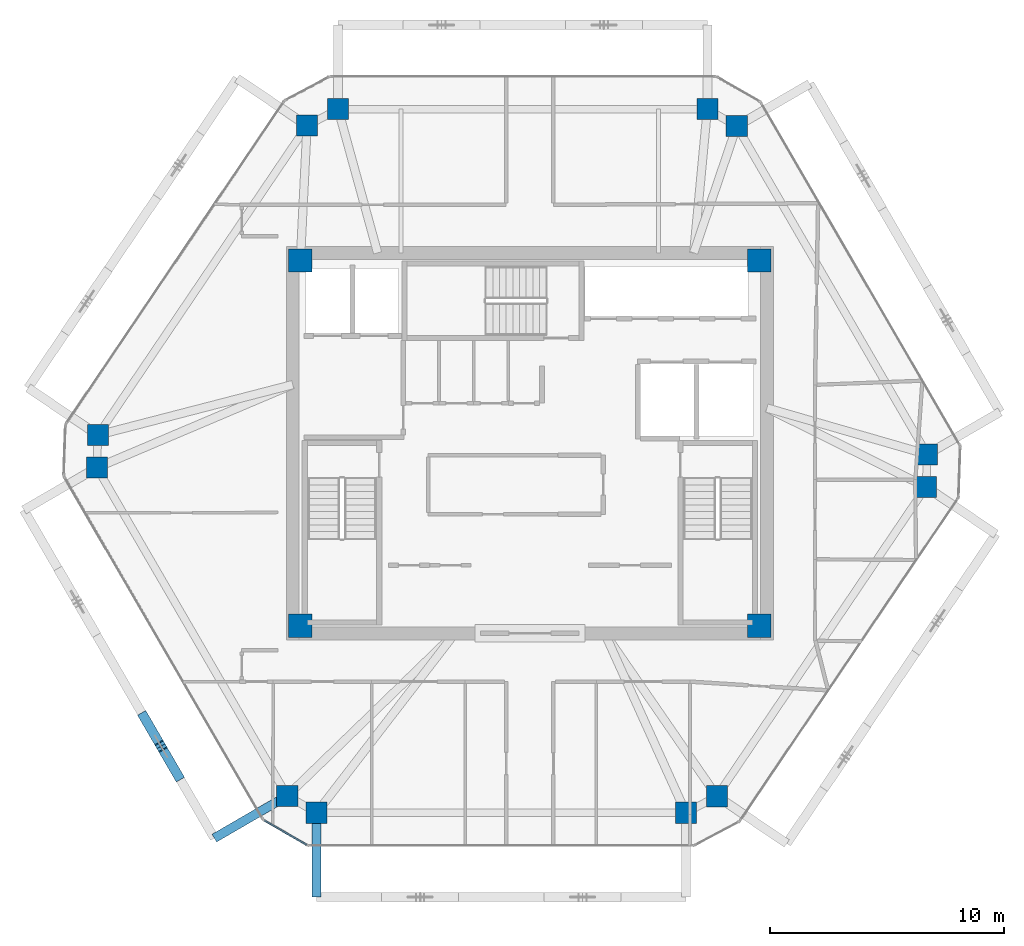
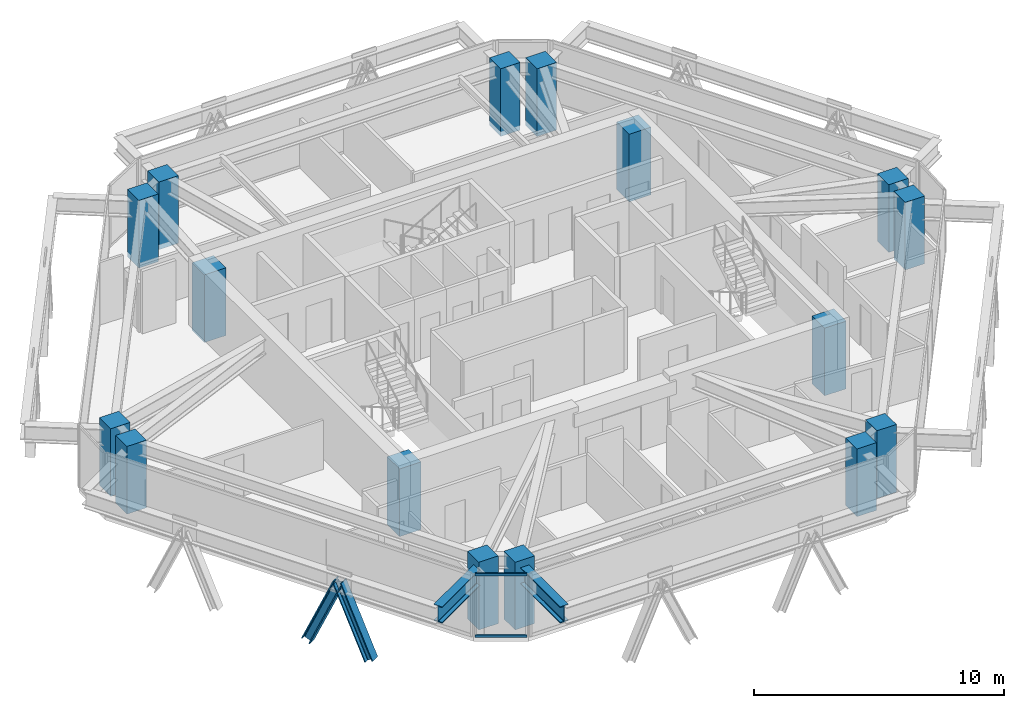
# One storey, part 1 of 13: 16 columns, 4 members, 2 beams, 1 element without a shape of its own.
"""IFC4 building model written with IfcOpenShell, lengths in metres."""

from ifc_helpers import new_model, si_unit, direction, frame, origin, origin_2d, place, context, subcontext, project, spatial, rectangle, i_section, extrude, source, transform, mapped, material, layer, layer_set, material_profile, profile_set, type_object, type_shapes, element, aggregate, save


model = new_model("IFC4")

# Units and contexts
model_context = context("Model", 3, precision=1e-05, world=origin(), true_north=direction((0.0, 1.0)))
body_context = subcontext(model_context, "Body", "Model", "MODEL_VIEW")
ifc_project = project(units=[si_unit("LENGTHUNIT", "METRE"), si_unit("AREAUNIT", "SQUARE_METRE"), si_unit("VOLUMEUNIT", "CUBIC_METRE"), si_unit("PLANEANGLEUNIT", "RADIAN"), si_unit("MASSUNIT", "GRAM", prefix="KILO")], contexts=[model_context])

# Site, building, storey
site_placement = place(None, origin())
site = spatial("IfcSite", under=ifc_project, at=site_placement, CompositionType="ELEMENT")
building_placement = place(site_placement, origin())
building = spatial("IfcBuilding", under=site, at=building_placement, Name="Durnholm Broadcast Tower", CompositionType="ELEMENT")
storey_placement = place(building_placement, frame((0.0, 0.0, 248.0)))
storey = spatial("IfcBuildingStorey", under=building, at=storey_placement, Name="L69", CompositionType="ELEMENT", Elevation=248.0)

# Columns
ifc_material_1 = material(Name="Concrete C70/85", Category="concrete")
ifc_material_profile_1 = material_profile(ifc_material_1, rectangle(XDim=1.0, YDim=1.0, at=origin_2d()), Name="RC1000X1000")
ifc_profile_set_1 = profile_set([ifc_material_profile_1], Name="Concrete C70/85")
column_type_1 = type_object("IfcColumnType", Name="COL-CC-1000", PredefinedType="COLUMN", material=ifc_profile_set_1)
shared_shape_1 = source(origin(), body_context, "Body", "SweptSolid", [
    extrude(rectangle(XDim=1.0, YDim=1.0, at=origin_2d()), origin(), (0.0, 0.0, 1.0), 3.300048828125),
])
type_shapes(column_type_1, [shared_shape_1])
for number, where, z_axis, x_axis, name in (
    (1, (-9.800048828125, -7.800048828125, -0.239990234375), (0.0, 0.0, 1.0), (1.0, 0.0, 0.0), "L69 core corner column 1"),
    (2, (9.800048828125, -7.800048828125, -0.239990234375), (0.0, 0.0, 1.0), (1.0, 0.0, 0.0), "L69 core corner column 2"),
    (3, (9.800048828125, 7.800048828125, -0.239990234375), (0.0, 0.0, 1.0), (1.0, 0.0, 0.0), "L69 core corner column 3"),
    (4, (-9.800048828125, 7.800048828125, -0.239990234375), (0.0, 0.0, 1.0), (1.0, 0.0, 0.0), "L69 core corner column 4"),
):
    element("IfcColumn", number, at=place(storey_placement, frame(where, z_axis=z_axis, x_axis=x_axis)), inside=storey, type_object=column_type_1, Name=name, PredefinedType="COLUMN", context=body_context, shape_type="MappedRepresentation", body=[
        mapped(shared_shape_1, transform((0.0, 0.0, 0.0), x_axis=(1.0, 0.0, 0.0), y_axis=(0.0, 1.0, 0.0), z_axis=(0.0, 0.0, 1.0), scale=1.0)),
    ])
ifc_material_profile_2 = material_profile(ifc_material_1, rectangle(XDim=0.89990234375, YDim=0.89990234375, at=origin_2d()), Name="RC900X900")
ifc_profile_set_2 = profile_set([ifc_material_profile_2], Name="Concrete C70/85")
column_type_2 = type_object("IfcColumnType", Name="COL-CC-900", PredefinedType="COLUMN", material=ifc_profile_set_2)
shared_shape_2 = source(origin(), body_context, "Body", "SweptSolid", [
    extrude(rectangle(XDim=0.89990234375, YDim=0.89990234375, at=origin_2d()), origin(), (0.0, 0.0, 1.0), 3.300048828125),
])
type_shapes(column_type_2, [shared_shape_2])
for number, where, z_axis, x_axis, name in (
    (5, (-10.361328125, -15.061767578125, -0.239990234375), (0.0, 0.0, 1.0), (1.0, 0.0, 0.0), "L69 perimeter hexagonal tube column 01"),
    (6, (-18.494384765625, -1.0478515625, -0.239990234375), (0.0, 0.0, 1.0), (1.0, 0.0, 0.0), "L69 perimeter hexagonal tube column 02"),
    (7, (-18.4462890625, 0.345947265625, -0.239990234375), (0.0, 0.0, 1.0), (1.0, 0.0, 0.0), "L69 perimeter hexagonal tube column 03"),
    (8, (-9.514892578125, 13.557373046875, -0.239990234375), (0.0, 0.0, 1.0), (1.0, 0.0, 0.0), "L69 perimeter hexagonal tube column 04"),
    (9, (-8.187744140625, 14.261962890625, -0.239990234375), (0.0, 0.0, 1.0), (1.0, 0.0, 0.0), "L69 perimeter hexagonal tube column 05"),
    (10, (7.57958984375, 14.261962890625, -0.239990234375), (0.0, 0.0, 1.0), (1.0, 0.0, 0.0), "L69 perimeter hexagonal tube column 06"),
    (11, (8.83740234375, 13.53759765625, -0.239990234375), (0.0, 0.0, 1.0), (1.0, 0.0, 0.0), "L69 perimeter hexagonal tube column 07"),
    (12, (16.97021484375, -0.47607421875, -0.239990234375), (0.0, 0.0, 1.0), (1.0, 0.0, 0.0), "L69 perimeter hexagonal tube column 08"),
    (13, (16.92236328125, -1.869873046875, -0.239990234375), (0.0, 0.0, 1.0), (1.0, 0.0, 0.0), "L69 perimeter hexagonal tube column 09"),
    (14, (7.990966796875, -15.081298828125, -0.239990234375), (0.0, 0.0, 1.0), (1.0, 0.0, 0.0), "L69 perimeter hexagonal tube column 10"),
    (15, (6.663818359375, -15.785888671875, -0.239990234375), (0.0, 0.0, 1.0), (1.0, 0.0, 0.0), "L69 perimeter hexagonal tube column 11"),
    (16, (-9.103759765625, -15.785888671875, -0.239990234375), (0.0, 0.0, 1.0), (1.0, 0.0, 0.0), "L69 perimeter hexagonal tube column 12"),
):
    element("IfcColumn", number, at=place(storey_placement, frame(where, z_axis=z_axis, x_axis=x_axis)), inside=storey, type_object=column_type_2, Name=name, PredefinedType="COLUMN", context=body_context, shape_type="MappedRepresentation", body=[
        mapped(shared_shape_2, transform((0.0, 0.0, 0.0), x_axis=(1.0, 0.0, 0.0), y_axis=(0.0, 1.0, 0.0), z_axis=(0.0, 0.0, 1.0), scale=1.0)),
    ])

# Beams
ifc_material_2 = material(Name="Steel ASTM A992 Grade 50", Category="steel")
ifc_material_profile_3 = material_profile(ifc_material_2, i_section(OverallWidth=0.385009765625, OverallDepth=0.802978515625, WebThickness=0.023681640625, FlangeThickness=0.0419921875, FilletRadius=0.032958984375, at=origin_2d()), Name="W30X261")
ifc_profile_set_3 = profile_set([ifc_material_profile_3], Name="Steel ASTM A992 Grade 50")
beam_type = type_object("IfcBeamType", Name="BM-EXO-TIE", PredefinedType="USERDEFINED", material=ifc_profile_set_3)
shared_shape_3 = source(origin(), body_context, "Body", "SweptSolid", [
    extrude(i_section(OverallWidth=0.385009765625, OverallDepth=0.802978515625, WebThickness=0.023681640625, FlangeThickness=0.0419921875, FilletRadius=0.032958984375, at=origin_2d()), origin(), (0.0, 0.0, 1.0), 3.4560546875),
])
type_shapes(beam_type, [shared_shape_3])
for number, where, z_axis, x_axis, name in (
    (17, (-9.103759765625, -15.929931640625, 2.30859375), (0.0, -1.0, 0.0), (1.0, 0.0, 0.0), "L69 exoskeleton stand-off tie bracket F1.1"),
    (18, (-10.48583984375, -15.134033203125, 2.30859375), (-0.864924479231, -0.501902027518, 0.0), (0.501902027518, -0.864924479231, 0.0), "L69 exoskeleton stand-off tie bracket F6.2"),
):
    element("IfcBeam", number, at=place(storey_placement, frame(where, z_axis=z_axis, x_axis=x_axis)), inside=storey, type_object=beam_type, Name=name, ObjectType="GIRDER", PredefinedType="USERDEFINED", context=body_context, shape_type="MappedRepresentation", body=[
        mapped(shared_shape_3, transform((0.0, 0.0, 0.0), x_axis=(1.0, 0.0, 0.0), y_axis=(0.0, 1.0, 0.0), z_axis=(0.0, 0.0, 1.0), scale=1.0)),
    ])

# Members
ifc_material_3 = material(Name="Steel ASTM A913 Grade 65", Category="steel")
ifc_material_profile_4 = material_profile(ifc_material_3, i_section(OverallWidth=0.40625, OverallDepth=0.416015625, WebThickness=0.02978515625, FlangeThickness=0.048095703125, FilletRadius=0.030517578125, at=origin_2d()), Name="W14X257")
ifc_profile_set_4 = profile_set([ifc_material_profile_4], Name="Steel ASTM A913 Grade 65")
member_type_1 = type_object("IfcMemberType", Name="STL-DG-W14X257", PredefinedType="BRACE", material=ifc_profile_set_4)
shared_shape_4 = source(origin(), body_context, "Body", "SweptSolid", [
    extrude(i_section(OverallWidth=0.40625, OverallDepth=0.416015625, WebThickness=0.02978515625, FlangeThickness=0.048095703125, FilletRadius=0.030517578125, at=origin_2d()), origin(), (0.0, 0.0, 1.0), 3.60791015625),
])
type_shapes(member_type_1, [shared_shape_4])
for number, where, z_axis, x_axis, name in (
    (19, (-16.484130859375, -11.68359375, -0.991455078125), (0.202871189729, -0.349577240207, 0.914679743685), (0.864906184135, 0.501933554014, 0.0), "L69 stand-off diagrid brace F6.D2.1"),
    (20, (-15.020263671875, -14.2060546875, -0.991455078125), (-0.202871189729, 0.349577240207, 0.914679743685), (-0.864906184135, -0.501933554014, 0.0), "L69 stand-off diagrid brace F6.D2.2"),
):
    element("IfcMember", number, at=place(storey_placement, frame(where, z_axis=z_axis, x_axis=x_axis)), inside=storey, type_object=member_type_1, Name=name, PredefinedType="BRACE", context=body_context, shape_type="MappedRepresentation", body=[
        mapped(shared_shape_4, transform((0.0, 0.0, 0.0), x_axis=(1.0, 0.0, 0.0), y_axis=(0.0, 1.0, 0.0), z_axis=(0.0, 0.0, 1.0), scale=1.0)),
    ])

# Curtain wall, members
ifc_material_4 = material(Name="Aluminium and Solar Control IGU", Category="aluminium")
ifc_layer = layer(ifc_material_4, 0.1650390625)
ifc_layer_set = layer_set([ifc_layer], Name="Aluminium and Solar Control IGU")
curtain_wall_type = type_object("IfcCurtainWallType", Name="CW-SYS-5", PredefinedType="NOTDEFINED", material=ifc_layer_set)
curtain_wall_placement = place(storey_placement, origin())
curtain_wall = element("IfcCurtainWall", 21, at=curtain_wall_placement, inside=storey, type_object=curtain_wall_type, Name="L69 curtain wall CW-CORNER CW-L69-CRN-11", PredefinedType="NOTDEFINED")
ifc_material_5 = material(Name="Aluminium 6063-T6", Category="aluminium")
ifc_material_profile_5 = material_profile(ifc_material_5, rectangle(XDim=0.06494140625, YDim=0.1298828125, at=origin_2d()), Name="CWT65X130")
ifc_profile_set_5 = profile_set([ifc_material_profile_5], Name="Aluminium 6063-T6")
member_type_2 = type_object("IfcMemberType", Name="CW-SYS-5-TRN", PredefinedType="USERDEFINED", material=ifc_profile_set_5)
shared_shape_5 = source(origin(), body_context, "Body", "SweptSolid", [
    extrude(rectangle(XDim=0.06494140625, YDim=0.1298828125, at=origin_2d()), origin(), (0.0, 0.0, 1.0), 2.06982421875),
])
type_shapes(member_type_2, [shared_shape_5])
member_1_placement = place(storey_placement, frame((-9.534423828125, -17.153564453125, 0.032470703125), z_axis=(-0.866576086718, 0.499044973854, 0.0), x_axis=(-0.499044973854, -0.866576086718, 0.0)))
member_1 = element("IfcMember", 22, at=member_1_placement, type_object=member_type_2, Name="CW-CORNER transom 1.1", ObjectType="TRANSOM", PredefinedType="USERDEFINED", context=body_context, shape_type="MappedRepresentation", body=[
    mapped(shared_shape_5, transform((0.0, 0.0, 0.0), x_axis=(1.0, 0.0, 0.0), y_axis=(0.0, 1.0, 0.0), z_axis=(0.0, 0.0, 1.0), scale=1.0)),
])
member_2_placement = place(storey_placement, frame((-9.534423828125, -17.153564453125, 3.027587890625), z_axis=(-0.866576086718, 0.499044973854, 0.0), x_axis=(-0.499044973854, -0.866576086718, 0.0)))
member_2 = element("IfcMember", 23, at=member_2_placement, type_object=member_type_2, Name="CW-CORNER transom 1.2", ObjectType="TRANSOM", PredefinedType="USERDEFINED", context=body_context, shape_type="MappedRepresentation", body=[
    mapped(shared_shape_5, transform((0.0, 0.0, 0.0), x_axis=(1.0, 0.0, 0.0), y_axis=(0.0, 1.0, 0.0), z_axis=(0.0, 0.0, 1.0), scale=1.0)),
])
aggregate(curtain_wall, [member_1, member_2])

save(model, "model.ifc")
